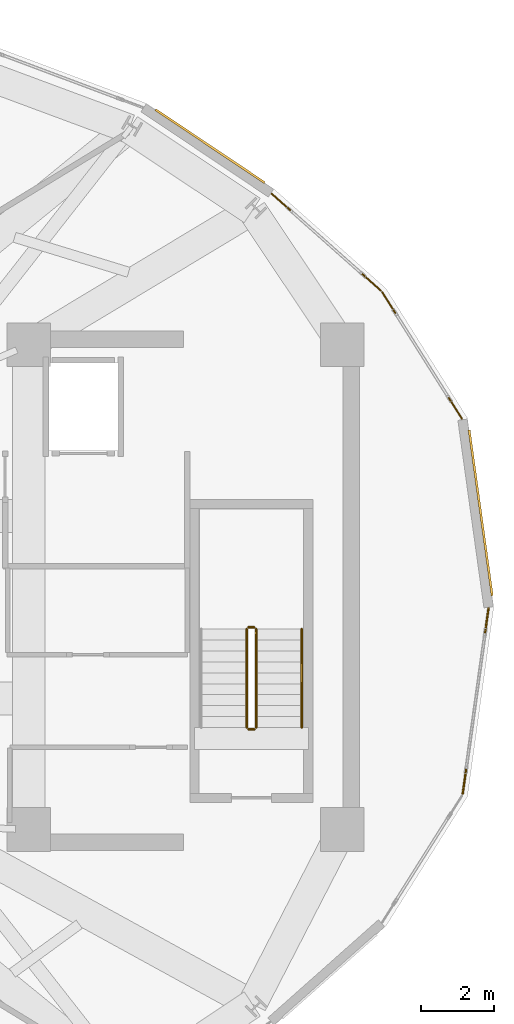
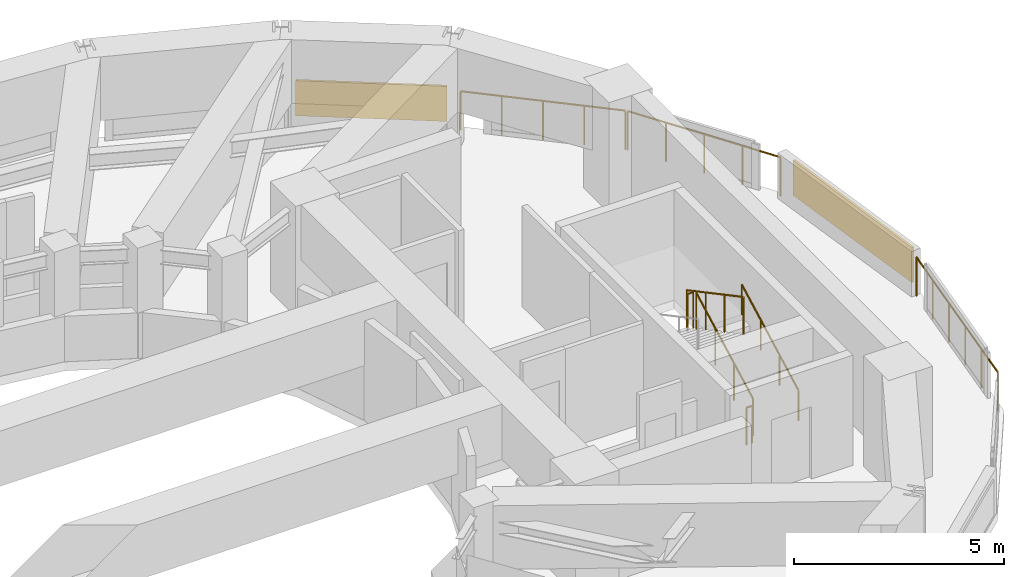
# One storey, part 18 of 18: 8 railings, 2 shading devices.
"""IFC4 building model written with IfcOpenShell, lengths in metres."""

from ifc_helpers import new_model, si_unit, direction, frame, origin, origin_2d, place, context, subcontext, project, spatial, rectangle, circle, extrude, material, layer, layer_set, type_object, element, save


model = new_model("IFC4")

# Units and contexts
model_context = context("Model", 3, precision=1e-05, world=origin(), true_north=direction((0.0, 1.0)))
body_context = subcontext(model_context, "Body", "Model", "MODEL_VIEW")
ifc_project = project(units=[si_unit("LENGTHUNIT", "METRE"), si_unit("AREAUNIT", "SQUARE_METRE"), si_unit("VOLUMEUNIT", "CUBIC_METRE"), si_unit("PLANEANGLEUNIT", "RADIAN"), si_unit("MASSUNIT", "GRAM", prefix="KILO")], contexts=[model_context])

# Site, building, storey
site_placement = place(None, origin())
site = spatial("IfcSite", under=ifc_project, at=site_placement, CompositionType="ELEMENT")
building_placement = place(site_placement, origin())
building = spatial("IfcBuilding", under=site, at=building_placement, Name="Solvane Sanctuary Tower", CompositionType="ELEMENT")
storey_placement = place(building_placement, frame((0.0, 0.0, 263.60009765625)))
storey = spatial("IfcBuildingStorey", under=building, at=storey_placement, Name="L80", CompositionType="ELEMENT", Elevation=263.60009765625)

# Railings
ifc_material_1 = material(Name="Architectural Stainless Steel 316", Category="steel")
railing_type_1 = type_object("IfcRailingType", Name="Railing GR-BALC-1150", PredefinedType="BALUSTRADE", material=ifc_material_1)
railing_1_placement = place(storey_placement, frame((51.988037109375, 28.17041015625, 0.0)))
element("IfcRailing", 1, at=railing_1_placement, inside=storey, type_object=railing_type_1, Name="L80 Crown Curtain-Wall Sill Guard 01", PredefinedType="BALUSTRADE", context=body_context, shape_type="SweptSolid", body=[
    extrude(circle(Radius=0.02392578125, at=origin_2d()), frame((0.0, 0.0, 1.1259765625), z_axis=(-0.533008723796, 0.846109744866, 0.0), x_axis=(-0.846109744866, -0.533008723796, 0.0)), (0.0, 0.0, 1.0), 4.107666015625),
    extrude(circle(Radius=0.02099609375, at=origin_2d()), origin(), (0.0, 0.0, 1.0), 1.101806640625),
    extrude(circle(Radius=0.02099609375, at=origin_2d()), frame((-0.54736328125, 0.868896484375, 0.0)), (0.0, 0.0, 1.0), 1.101806640625),
    extrude(circle(Radius=0.02099609375, at=origin_2d()), frame((-1.0947265625, 1.73779296875, 0.0)), (0.0, 0.0, 1.0), 1.101806640625),
    extrude(circle(Radius=0.02099609375, at=origin_2d()), frame((-1.64208984375, 2.606689453125, 0.0)), (0.0, 0.0, 1.0), 1.101806640625),
    extrude(circle(Radius=0.02099609375, at=origin_2d()), frame((-2.189453125, 3.4755859375, 0.0)), (0.0, 0.0, 1.0), 1.101806640625),
])
railing_2_placement = place(storey_placement, frame((49.760009765625, 31.691162109375, 0.0)))
element("IfcRailing", 2, at=railing_2_placement, inside=storey, type_object=railing_type_1, Name="L80 Crown Curtain-Wall Sill Guard 02", PredefinedType="BALUSTRADE", context=body_context, shape_type="SweptSolid", body=[
    extrude(circle(Radius=0.02392578125, at=origin_2d()), frame((0.0, 0.0, 1.1259765625), z_axis=(-0.74800521899, 0.663692844894, 0.0), x_axis=(-0.663692844894, -0.74800521899, 0.0)), (0.0, 0.0, 1.0), 3.9990234375),
    extrude(circle(Radius=0.02099609375, at=origin_2d()), origin(), (0.0, 0.0, 1.0), 1.101806640625),
    extrude(circle(Radius=0.02099609375, at=origin_2d()), frame((-0.747802734375, 0.66357421875, 0.0)), (0.0, 0.0, 1.0), 1.101806640625),
    extrude(circle(Radius=0.02099609375, at=origin_2d()), frame((-1.49560546875, 1.3271484375, 0.0)), (0.0, 0.0, 1.0), 1.101806640625),
    extrude(circle(Radius=0.02099609375, at=origin_2d()), frame((-2.243408203125, 1.990478515625, 0.0)), (0.0, 0.0, 1.0), 1.101806640625),
    extrude(circle(Radius=0.02099609375, at=origin_2d()), frame((-2.9912109375, 2.654052734375, 0.0)), (0.0, 0.0, 1.0), 1.101806640625),
])
railing_3_placement = place(storey_placement, frame((52.00830078125, 17.884765625, 0.0)))
element("IfcRailing", 3, at=railing_3_placement, inside=storey, type_object=railing_type_1, Name="L80 Crown Curtain-Wall Sill Guard 23", PredefinedType="BALUSTRADE", context=body_context, shape_type="SweptSolid", body=[
    extrude(circle(Radius=0.02392578125, at=origin_2d()), frame((0.0, 0.0, 1.1259765625), z_axis=(0.137799024975, 0.990460210567, 0.0), x_axis=(-0.990460210567, 0.137799024975, 0.0)), (0.0, 0.0, 1.0), 5.134521484375),
    extrude(circle(Radius=0.02099609375, at=origin_2d()), origin(), (0.0, 0.0, 1.0), 1.101806640625),
    extrude(circle(Radius=0.02099609375, at=origin_2d()), frame((0.1416015625, 1.01708984375, 0.0)), (0.0, 0.0, 1.0), 1.101806640625),
    extrude(circle(Radius=0.02099609375, at=origin_2d()), frame((0.282958984375, 2.0341796875, 0.0)), (0.0, 0.0, 1.0), 1.101806640625),
    extrude(circle(Radius=0.02099609375, at=origin_2d()), frame((0.424560546875, 3.05126953125, 0.0)), (0.0, 0.0, 1.0), 1.101806640625),
    extrude(circle(Radius=0.02099609375, at=origin_2d()), frame((0.56591796875, 4.068359375, 0.0)), (0.0, 0.0, 1.0), 1.101806640625),
    extrude(circle(Radius=0.02099609375, at=origin_2d()), frame((0.70751953125, 5.08544921875, 0.0)), (0.0, 0.0, 1.0), 1.101806640625),
])
railing_4_placement = place(storey_placement, frame((46.340087890625, 19.699951171875, 0.159912109375)))
element("IfcRailing", 4, at=railing_4_placement, inside=storey, type_object=railing_type_1, Name="L80 ST-2 stair guard 1", PredefinedType="BALUSTRADE", context=body_context, shape_type="SweptSolid", body=[
    extrude(circle(Radius=0.02392578125, at=origin_2d()), frame((0.0, 0.0, 1.076171875), z_axis=(0.0, 0.882357358376, 0.470579952952), x_axis=(-1.0, 0.0, 0.0)), (0.0, 0.0, 1.0), 3.059814453125),
    extrude(circle(Radius=0.02099609375, at=origin_2d()), origin(), (0.0, 0.0, 1.0), 1.052001953125),
    extrude(circle(Radius=0.02099609375, at=origin_2d()), frame((0.0, 0.89990234375, 0.47998046875)), (0.0, 0.0, 1.0), 1.052001953125),
    extrude(circle(Radius=0.02099609375, at=origin_2d()), frame((0.0, 1.800048828125, 0.9599609375)), (0.0, 0.0, 1.0), 1.052001953125),
    extrude(circle(Radius=0.02099609375, at=origin_2d()), frame((0.0, 2.699951171875, 1.43994140625)), (0.0, 0.0, 1.0), 1.052001953125),
])
railing_5_placement = place(storey_placement, frame((46.2900390625, 22.449951171875, 1.599853515625)))
element("IfcRailing", 5, at=railing_5_placement, inside=storey, type_object=railing_type_1, Name="L80 ST-2 stair guard 2", PredefinedType="BALUSTRADE", context=body_context, shape_type="SweptSolid", body=[
    extrude(circle(Radius=0.02392578125, at=origin_2d()), frame((0.0, 0.0, 1.076171875), z_axis=(-1.0, 0.0, 0.0), x_axis=(0.0, -1.0, 0.0)), (0.0, 0.0, 1.0), 0.16015625),
    extrude(circle(Radius=0.02099609375, at=origin_2d()), origin(), (0.0, 0.0, 1.0), 1.052001953125),
    extrude(circle(Radius=0.02099609375, at=origin_2d()), frame((-0.16015625, 0.0, 0.0)), (0.0, 0.0, 1.0), 1.052001953125),
])
railing_6_placement = place(storey_placement, frame((46.080078125, 22.39990234375, 1.760009765625)))
element("IfcRailing", 6, at=railing_6_placement, inside=storey, type_object=railing_type_1, Name="L80 ST-2 stair guard 3", PredefinedType="BALUSTRADE", context=body_context, shape_type="SweptSolid", body=[
    extrude(circle(Radius=0.02392578125, at=origin_2d()), frame((0.0, 0.0, 1.076171875), z_axis=(0.0, -0.882357358376, 0.470579952952), x_axis=(1.0, 0.0, 0.0)), (0.0, 0.0, 1.0), 3.059814453125),
    extrude(circle(Radius=0.02099609375, at=origin_2d()), origin(), (0.0, 0.0, 1.0), 1.052001953125),
    extrude(circle(Radius=0.02099609375, at=origin_2d()), frame((0.0, -0.89990234375, 0.47998046875)), (0.0, 0.0, 1.0), 1.052001953125),
    extrude(circle(Radius=0.02099609375, at=origin_2d()), frame((0.0, -1.800048828125, 0.9599609375)), (0.0, 0.0, 1.0), 1.052001953125),
    extrude(circle(Radius=0.02099609375, at=origin_2d()), frame((0.0, -2.699951171875, 1.43994140625)), (0.0, 0.0, 1.0), 1.052001953125),
])
railing_7_placement = place(storey_placement, frame((46.2900390625, 19.64990234375, 0.0)))
element("IfcRailing", 7, at=railing_7_placement, inside=storey, type_object=railing_type_1, Name="L80 ST-2 stair guard 4", PredefinedType="BALUSTRADE", context=body_context, shape_type="SweptSolid", body=[
    extrude(circle(Radius=0.02392578125, at=origin_2d()), frame((0.0, 0.0, 1.076171875), z_axis=(-1.0, 0.0, 0.0), x_axis=(0.0, -1.0, 0.0)), (0.0, 0.0, 1.0), 0.16015625),
    extrude(circle(Radius=0.02099609375, at=origin_2d()), origin(), (0.0, 0.0, 1.0), 1.052001953125),
    extrude(circle(Radius=0.02099609375, at=origin_2d()), frame((-0.16015625, 0.0, 0.0)), (0.0, 0.0, 1.0), 1.052001953125),
])
railing_type_2 = type_object("IfcRailingType", Name="Railing HR-STAIR-920", PredefinedType="HANDRAIL", material=ifc_material_1)
railing_8_placement = place(storey_placement, frame((47.590087890625, 19.699951171875, 0.159912109375)))
element("IfcRailing", 8, at=railing_8_placement, inside=storey, type_object=railing_type_2, Name="L80 ST-2 stair handrail 1", PredefinedType="HANDRAIL", context=body_context, shape_type="SweptSolid", body=[
    extrude(circle(Radius=0.02392578125, at=origin_2d()), frame((0.0, 0.0, 0.8759765625), z_axis=(0.0, 0.882357358376, 0.470579952952), x_axis=(-1.0, 0.0, 0.0)), (0.0, 0.0, 1.0), 3.059814453125),
    extrude(circle(Radius=0.02099609375, at=origin_2d()), origin(), (0.0, 0.0, 1.0), 0.851806640625),
    extrude(circle(Radius=0.02099609375, at=origin_2d()), frame((0.0, 0.89990234375, 0.47998046875)), (0.0, 0.0, 1.0), 0.851806640625),
    extrude(circle(Radius=0.02099609375, at=origin_2d()), frame((0.0, 1.800048828125, 0.9599609375)), (0.0, 0.0, 1.0), 0.851806640625),
    extrude(circle(Radius=0.02099609375, at=origin_2d()), frame((0.0, 2.699951171875, 1.43994140625)), (0.0, 0.0, 1.0), 0.851806640625),
])

# Shading devices
ifc_material_2 = material(Name="Anodised Aluminium 6063-T6", Category="aluminium")
ifc_layer = layer(ifc_material_2, 0.06005859375, Name="Anodised Aluminium 6063-T6")
ifc_layer_set = layer_set([ifc_layer], Name="Anodised Aluminium 6063-T6")
shading_device_type = type_object("IfcShadingDeviceType", Name="Shading SHD-LOUVRE", PredefinedType="JALOUSIE", material=ifc_layer_set)
shading_device_1_placement = place(storey_placement, frame((52.500732421875, 25.591796875, 0.14990234375), z_axis=(0.0, 0.0, 1.0), x_axis=(-0.137816220857, 0.990457818016, 0.0)))
element("IfcShadingDevice", 9, at=shading_device_1_placement, inside=storey, type_object=shading_device_type, Name="L80 Crown Storm Louvre Panel 00", PredefinedType="JALOUSIE", context=body_context, shape_type="SweptSolid", body=[
    extrude(rectangle(XDim=4.594482421875, YDim=0.06005859375, at=origin_2d()), origin(), (0.0, 0.0, 1.0), 1.02001953125),
])
shading_device_2_placement = place(storey_placement, frame((45.07666015625, 35.6513671875, 0.14990234375), z_axis=(0.0, 0.0, 1.0), x_axis=(-0.830984469274, 0.5562956155, 0.0)))
element("IfcShadingDevice", 10, at=shading_device_2_placement, inside=storey, type_object=shading_device_type, Name="L80 Crown Storm Louvre Panel 03", PredefinedType="JALOUSIE", context=body_context, shape_type="SweptSolid", body=[
    extrude(rectangle(XDim=3.606201171875, YDim=0.06005859375, at=origin_2d()), origin(), (0.0, 0.0, 1.0), 1.02001953125),
])

save(model, "model.ifc")
